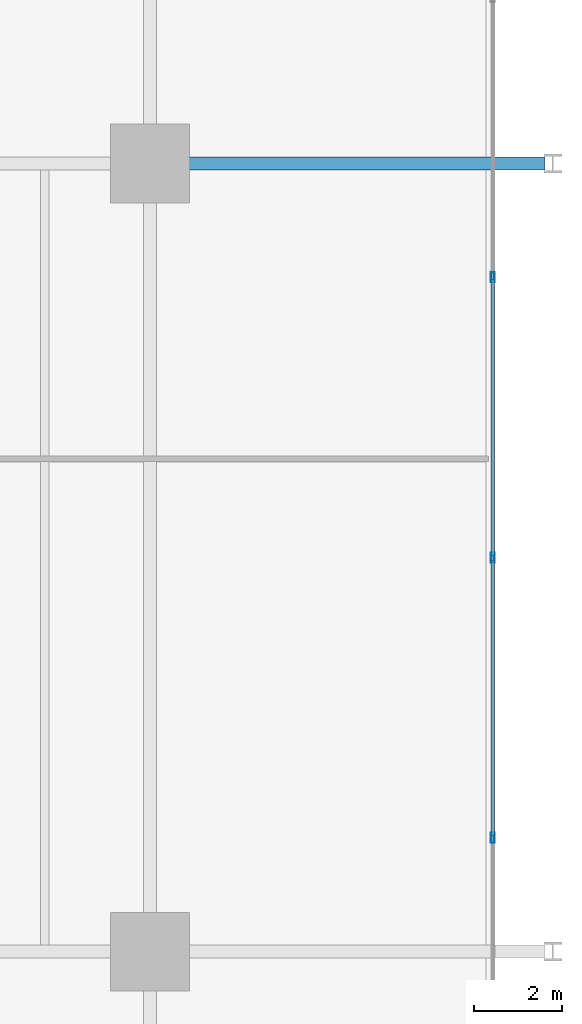
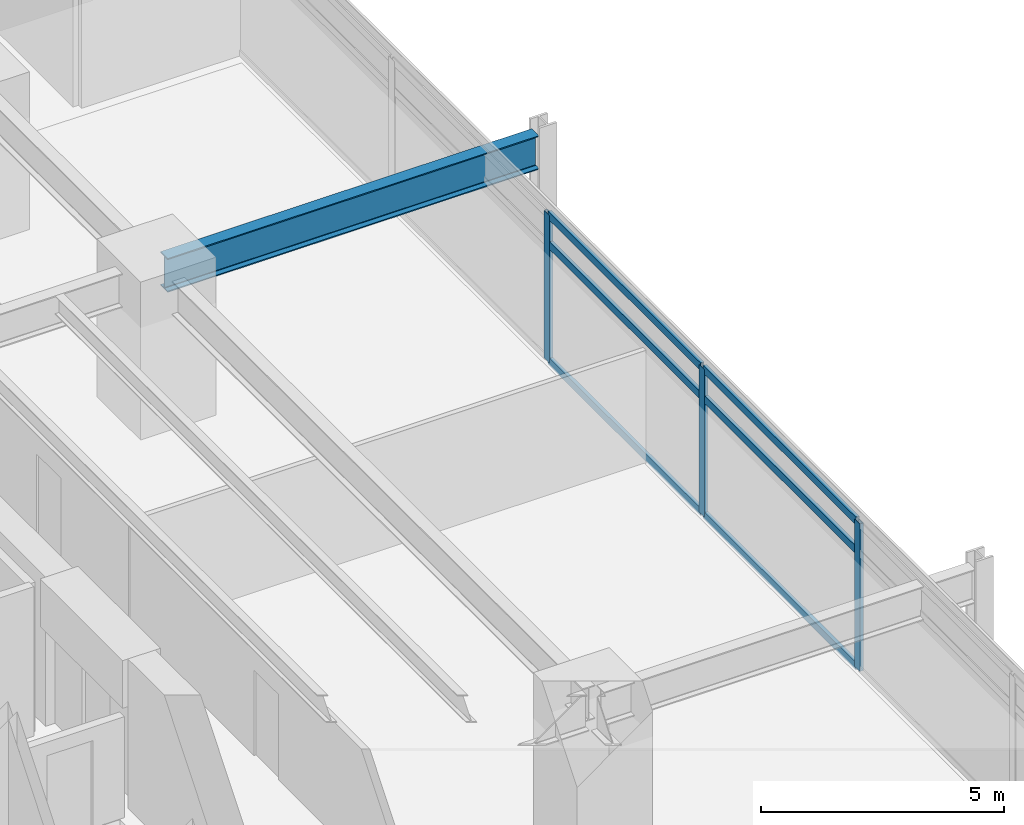
# One storey, part 9 of 22: 9 members, 1 beam, 1 element without a shape of its own.
"""IFC4 building model written with IfcOpenShell, lengths in metres."""

from ifc_helpers import new_model, si_unit, direction, frame, origin, origin_2d, place, context, subcontext, project, spatial, hollow_rectangle, i_section, extrude, material, material_profile, profile_set, type_object, element, aggregate, save


model = new_model("IFC4")

# Units and contexts
model_context = context("Model", 3, precision=1e-05, world=origin(), true_north=direction((0.0, 1.0)))
body_context = subcontext(model_context, "Body", "Model", "MODEL_VIEW")
ifc_project = project(units=[si_unit("LENGTHUNIT", "METRE"), si_unit("AREAUNIT", "SQUARE_METRE"), si_unit("VOLUMEUNIT", "CUBIC_METRE"), si_unit("PLANEANGLEUNIT", "RADIAN"), si_unit("MASSUNIT", "GRAM", prefix="KILO")], contexts=[model_context])

# Site, building, storey
site_placement = place(None, origin())
site = spatial("IfcSite", under=ifc_project, at=site_placement, CompositionType="ELEMENT")
building_placement = place(site_placement, origin())
building = spatial("IfcBuilding", under=site, at=building_placement, Name="Kovane Verandah Tower", CompositionType="ELEMENT")
storey_placement = place(building_placement, frame((0.0, 0.0, 79.60009765625)))
storey = spatial("IfcBuildingStorey", under=building, at=storey_placement, Name="L18", CompositionType="ELEMENT", Elevation=79.60009765625)

# Beam
ifc_material_1 = material(Name="Steel S355", Category="steel")
ifc_material_profile_1 = material_profile(ifc_material_1, i_section(OverallWidth=0.293701171875, OverallDepth=0.850830078125, WebThickness=0.01611328125, FlangeThickness=0.02685546875, FilletRadius=0.017822265625, at=origin_2d()), Name="UB838x292x226")
ifc_profile_set_1 = profile_set([ifc_material_profile_1], Name="Steel S355")
beam_type = type_object("IfcBeamType", Name="BM-UB838x226", PredefinedType="BEAM", material=ifc_profile_set_1)
beam_placement = place(storey_placement, frame((58.580078125, 36.5, 3.33447265625), z_axis=(1.0, 0.0, 0.0), x_axis=(0.0, 1.0, 0.0)))
element("IfcBeam", 1, at=beam_placement, inside=storey, type_object=beam_type, Name="L18 Primary Tower Girder G-VE2", PredefinedType="BEAM", context=body_context, shape_type="SweptSolid", body=[
    extrude(i_section(OverallWidth=0.293701171875, OverallDepth=0.850830078125, WebThickness=0.01611328125, FlangeThickness=0.02685546875, FilletRadius=0.017822265625, at=origin_2d()), origin(), (0.0, 0.0, 1.0), 8.83984375),
])

# Curtain wall, members
ifc_material_2 = material(Name="Champagne Anodised Aluminium Frame with Low-E Clear Laminated Glass", Category="aluminium")
curtain_wall_type = type_object("IfcCurtainWallType", Name="CW-SYS-02-LOW", PredefinedType="NOTDEFINED", material=ifc_material_2)
curtain_wall_placement = place(storey_placement, origin())
curtain_wall = element("IfcCurtainWall", 2, at=curtain_wall_placement, inside=storey, type_object=curtain_wall_type, Name="L18 E Unitised Curtain Wall", PredefinedType="NOTDEFINED")
ifc_material_3 = material(Name="Champagne Anodised Aluminium 6063-T6", Category="aluminium")
ifc_material_profile_2 = material_profile(ifc_material_3, hollow_rectangle(XDim=0.0849609375, YDim=0.22998046875, WallThickness=0.00390625, at=origin_2d()), Name="AL85x230x4")
ifc_profile_set_2 = profile_set([ifc_material_profile_2], Name="Champagne Anodised Aluminium 6063-T6")
member_type_1 = type_object("IfcMemberType", Name="CW-MUL-85x230", PredefinedType="MULLION", material=ifc_profile_set_2)
member_1_placement = place(storey_placement, frame((66.228759765625, 21.10009765625, 0.02001953125), z_axis=(0.0, 0.0, 1.0), x_axis=(1.0, 0.0, 0.0)))
member_1 = element("IfcMember", 3, at=member_1_placement, type_object=member_type_1, Name="L18 E Unitised Curtain Wall Mullion 3", PredefinedType="MULLION", context=body_context, shape_type="SweptSolid", body=[
    extrude(hollow_rectangle(XDim=0.0849609375, YDim=0.22998046875, WallThickness=0.00390625, at=origin_2d()), origin(), (0.0, 0.0, 1.0), 3.719970703125),
])
member_2_placement = place(storey_placement, frame((66.228759765625, 27.5, 0.02001953125), z_axis=(0.0, 0.0, 1.0), x_axis=(1.0, 0.0, 0.0)))
member_2 = element("IfcMember", 4, at=member_2_placement, type_object=member_type_1, Name="L18 E Unitised Curtain Wall Mullion 4", PredefinedType="MULLION", context=body_context, shape_type="SweptSolid", body=[
    extrude(hollow_rectangle(XDim=0.0849609375, YDim=0.22998046875, WallThickness=0.00390625, at=origin_2d()), origin(), (0.0, 0.0, 1.0), 3.719970703125),
])
member_3_placement = place(storey_placement, frame((66.228759765625, 33.89990234375, 0.02001953125), z_axis=(0.0, 0.0, 1.0), x_axis=(1.0, 0.0, 0.0)))
member_3 = element("IfcMember", 5, at=member_3_placement, type_object=member_type_1, Name="L18 E Unitised Curtain Wall Mullion 5", PredefinedType="MULLION", context=body_context, shape_type="SweptSolid", body=[
    extrude(hollow_rectangle(XDim=0.0849609375, YDim=0.22998046875, WallThickness=0.00390625, at=origin_2d()), origin(), (0.0, 0.0, 1.0), 3.719970703125),
])
ifc_material_profile_3 = material_profile(ifc_material_3, hollow_rectangle(XDim=0.0849609375, YDim=0.18994140625, WallThickness=0.00390625, at=origin_2d()), Name="AL85x190x4")
ifc_profile_set_3 = profile_set([ifc_material_profile_3], Name="Champagne Anodised Aluminium 6063-T6")
member_type_2 = type_object("IfcMemberType", Name="CW-TRN-85x190", PredefinedType="USERDEFINED", material=ifc_profile_set_3)
member_4_placement = place(storey_placement, frame((66.228759765625, 21.14990234375, 0.0498046875), z_axis=(0.0, 1.0, 0.0), x_axis=(-1.0, 0.0, 0.0)))
member_4 = element("IfcMember", 6, at=member_4_placement, type_object=member_type_2, Name="L18 E Unitised Curtain Wall Transom TB Bay 3", ObjectType="TRANSOM", PredefinedType="USERDEFINED", context=body_context, shape_type="SweptSolid", body=[
    extrude(hollow_rectangle(XDim=0.0849609375, YDim=0.18994140625, WallThickness=0.00390625, at=origin_2d()), origin(), (0.0, 0.0, 1.0), 6.300048828125),
])
member_5_placement = place(storey_placement, frame((66.228759765625, 21.14990234375, 2.97998046875), z_axis=(0.0, 1.0, 0.0), x_axis=(-1.0, 0.0, 0.0)))
member_5 = element("IfcMember", 7, at=member_5_placement, type_object=member_type_2, Name="L18 E Unitised Curtain Wall Transom TM Bay 3", ObjectType="TRANSOM", PredefinedType="USERDEFINED", context=body_context, shape_type="SweptSolid", body=[
    extrude(hollow_rectangle(XDim=0.0849609375, YDim=0.18994140625, WallThickness=0.00390625, at=origin_2d()), origin(), (0.0, 0.0, 1.0), 6.300048828125),
])
member_6_placement = place(storey_placement, frame((66.228759765625, 21.14990234375, 3.7099609375), z_axis=(0.0, 1.0, 0.0), x_axis=(-1.0, 0.0, 0.0)))
member_6 = element("IfcMember", 8, at=member_6_placement, type_object=member_type_2, Name="L18 E Unitised Curtain Wall Transom TT Bay 3", ObjectType="TRANSOM", PredefinedType="USERDEFINED", context=body_context, shape_type="SweptSolid", body=[
    extrude(hollow_rectangle(XDim=0.0849609375, YDim=0.18994140625, WallThickness=0.00390625, at=origin_2d()), origin(), (0.0, 0.0, 1.0), 6.300048828125),
])
member_7_placement = place(storey_placement, frame((66.228759765625, 27.550048828125, 0.0498046875), z_axis=(0.0, 1.0, 0.0), x_axis=(-1.0, 0.0, 0.0)))
member_7 = element("IfcMember", 9, at=member_7_placement, type_object=member_type_2, Name="L18 E Unitised Curtain Wall Transom TB Bay 4", ObjectType="TRANSOM", PredefinedType="USERDEFINED", context=body_context, shape_type="SweptSolid", body=[
    extrude(hollow_rectangle(XDim=0.0849609375, YDim=0.18994140625, WallThickness=0.00390625, at=origin_2d()), origin(), (0.0, 0.0, 1.0), 6.300048828125),
])
member_8_placement = place(storey_placement, frame((66.228759765625, 27.550048828125, 2.97998046875), z_axis=(0.0, 1.0, 0.0), x_axis=(-1.0, 0.0, 0.0)))
member_8 = element("IfcMember", 10, at=member_8_placement, type_object=member_type_2, Name="L18 E Unitised Curtain Wall Transom TM Bay 4", ObjectType="TRANSOM", PredefinedType="USERDEFINED", context=body_context, shape_type="SweptSolid", body=[
    extrude(hollow_rectangle(XDim=0.0849609375, YDim=0.18994140625, WallThickness=0.00390625, at=origin_2d()), origin(), (0.0, 0.0, 1.0), 6.300048828125),
])
member_9_placement = place(storey_placement, frame((66.228759765625, 27.550048828125, 3.7099609375), z_axis=(0.0, 1.0, 0.0), x_axis=(-1.0, 0.0, 0.0)))
member_9 = element("IfcMember", 11, at=member_9_placement, type_object=member_type_2, Name="L18 E Unitised Curtain Wall Transom TT Bay 4", ObjectType="TRANSOM", PredefinedType="USERDEFINED", context=body_context, shape_type="SweptSolid", body=[
    extrude(hollow_rectangle(XDim=0.0849609375, YDim=0.18994140625, WallThickness=0.00390625, at=origin_2d()), origin(), (0.0, 0.0, 1.0), 6.300048828125),
])
aggregate(curtain_wall, [member_1, member_2, member_3, member_4, member_5, member_6, member_7, member_8, member_9])

save(model, "model.ifc")
